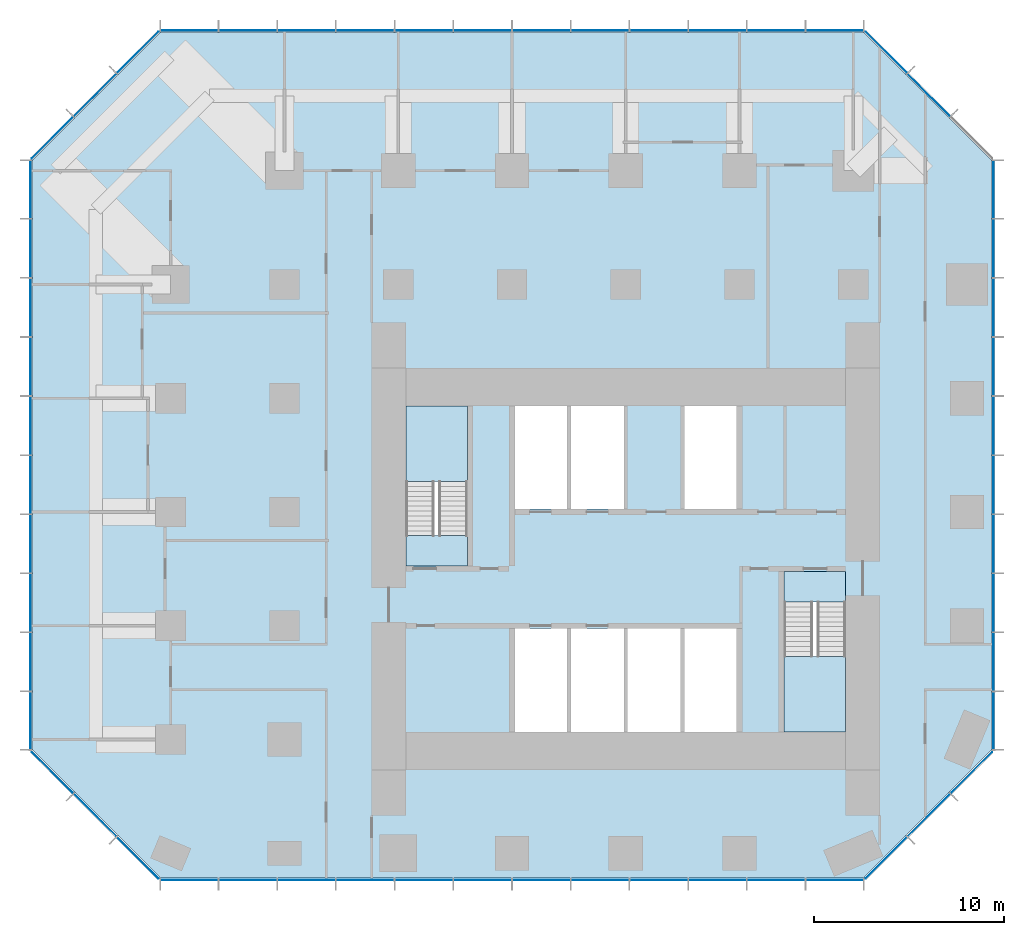
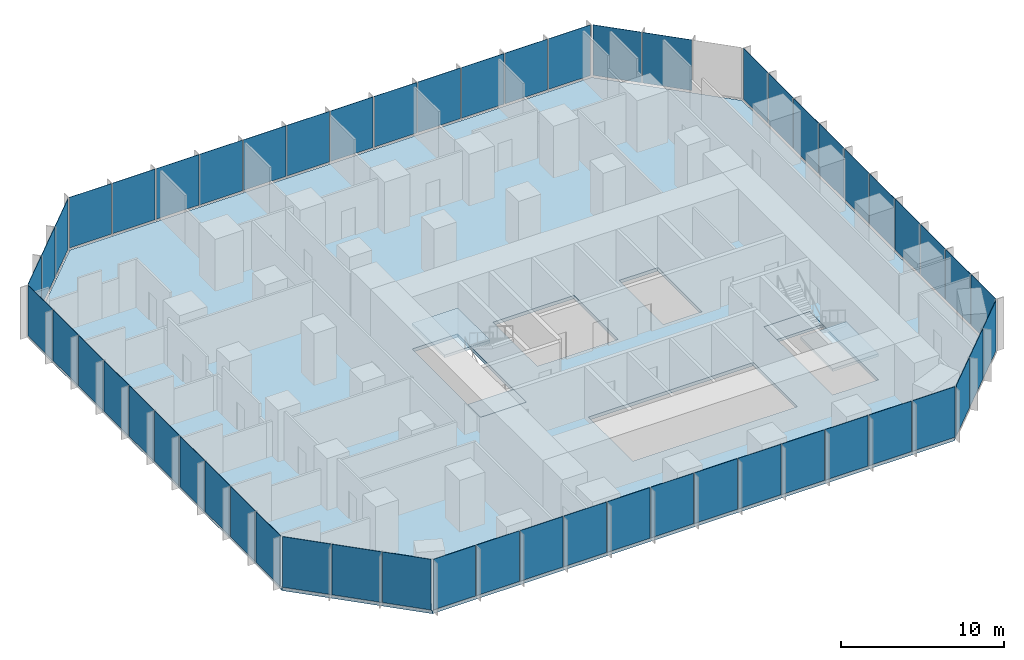
# One storey, part 7 of 11: 55 plates, 5 slabs, 10 elements without a shape of their own.
"""IFC4 building model written with IfcOpenShell, lengths in metres."""

from ifc_helpers import new_model, si_unit, direction, frame, origin, origin_2d, place, context, subcontext, project, spatial, polyline, rectangle, outline, extrude, material, layer, layer_set, type_object, element, aggregate, save


model = new_model("IFC4")

# Units and contexts
model_context = context("Model", 3, precision=1e-05, world=origin(), true_north=direction((0.0, 1.0)))
body_context = subcontext(model_context, "Body", "Model", "MODEL_VIEW")
ifc_project = project(units=[si_unit("LENGTHUNIT", "METRE"), si_unit("AREAUNIT", "SQUARE_METRE"), si_unit("VOLUMEUNIT", "CUBIC_METRE"), si_unit("PLANEANGLEUNIT", "RADIAN"), si_unit("MASSUNIT", "GRAM", prefix="KILO")], contexts=[model_context])

# Site, building, storey
site_placement = place(None, origin())
site = spatial("IfcSite", under=ifc_project, at=site_placement, CompositionType="ELEMENT")
building_placement = place(site_placement, origin())
building = spatial("IfcBuilding", under=site, at=building_placement, Name="Highveld Stack Headquarters", CompositionType="ELEMENT")
storey_placement = place(building_placement, frame((0.0, 0.0, 97.699951171875)))
storey = spatial("IfcBuildingStorey", under=building, at=storey_placement, Name="L23", CompositionType="ELEMENT", Elevation=97.699951171875)

# Curtain wall, plates
ifc_material_1 = material(Name="Aluminium bronze anodised", Category="aluminium")
ifc_layer_1 = layer(ifc_material_1, 0.199951171875)
ifc_layer_set_1 = layer_set([ifc_layer_1], Name="Aluminium bronze anodised")
curtain_wall_type_1 = type_object("IfcCurtainWallType", Name="CW1 TOWER UNITISED CURTAIN WALL", PredefinedType="NOTDEFINED", material=ifc_layer_set_1)
curtain_wall_1_placement = place(storey_placement, origin())
curtain_wall_1 = element("IfcCurtainWall", 1, at=curtain_wall_1_placement, inside=storey, type_object=curtain_wall_type_1, Name="Curtain wall CW1 L23 S", PredefinedType="NOTDEFINED")
ifc_material_2 = material(Name="Glass bronze tinted double glazed unit", Category="glass")
ifc_layer_2 = layer(ifc_material_2, 0.028076171875)
ifc_layer_set_2 = layer_set([ifc_layer_2], Name="Glass bronze tinted double glazed unit")
plate_type_1 = type_object("IfcPlateType", Name="CW1 PANEL BRONZE TINTED DOUBLE GLAZED UNIT", PredefinedType="CURTAIN_PANEL", material=ifc_layer_set_2)
plate_1_placement = place(storey_placement, frame((-17.015380859375, -13.39990234375, 0.10009765625), z_axis=(0.0, 0.0, 1.0), x_axis=(1.0, 0.0, 0.0)))
plate_1 = element("IfcPlate", 2, at=plate_1_placement, type_object=plate_type_1, Name="CW1 panel L23 1.1", PredefinedType="CURTAIN_PANEL", context=body_context, shape_type="SweptSolid", body=[
    extrude(rectangle(XDim=2.9990234375, YDim=0.028076171875, at=origin_2d()), origin(), (0.0, 0.0, 1.0), 3.800048828125),
])
plate_2_placement = place(storey_placement, frame((-13.934814453125, -13.39990234375, 0.10009765625), z_axis=(0.0, 0.0, 1.0), x_axis=(1.0, 0.0, 0.0)))
plate_2 = element("IfcPlate", 3, at=plate_2_placement, type_object=plate_type_1, Name="CW1 panel L23 2.1", PredefinedType="CURTAIN_PANEL", context=body_context, shape_type="SweptSolid", body=[
    extrude(rectangle(XDim=3.031494140625, YDim=0.028076171875, at=origin_2d()), origin(), (0.0, 0.0, 1.0), 3.800048828125),
])
plate_3_placement = place(storey_placement, frame((-10.83837890625, -13.39990234375, 0.10009765625), z_axis=(0.0, 0.0, 1.0), x_axis=(1.0, 0.0, 0.0)))
plate_3 = element("IfcPlate", 4, at=plate_3_placement, type_object=plate_type_1, Name="CW1 panel L23 3.1", PredefinedType="CURTAIN_PANEL", context=body_context, shape_type="SweptSolid", body=[
    extrude(rectangle(XDim=3.031494140625, YDim=0.028076171875, at=origin_2d()), origin(), (0.0, 0.0, 1.0), 3.800048828125),
])
plate_4_placement = place(storey_placement, frame((-7.74169921875, -13.39990234375, 0.10009765625), z_axis=(0.0, 0.0, 1.0), x_axis=(1.0, 0.0, 0.0)))
plate_4 = element("IfcPlate", 5, at=plate_4_placement, type_object=plate_type_1, Name="CW1 panel L23 4.1", PredefinedType="CURTAIN_PANEL", context=body_context, shape_type="SweptSolid", body=[
    extrude(rectangle(XDim=3.031494140625, YDim=0.028076171875, at=origin_2d()), origin(), (0.0, 0.0, 1.0), 3.800048828125),
])
plate_5_placement = place(storey_placement, frame((-4.64501953125, -13.39990234375, 0.10009765625), z_axis=(0.0, 0.0, 1.0), x_axis=(1.0, 0.0, 0.0)))
plate_5 = element("IfcPlate", 6, at=plate_5_placement, type_object=plate_type_1, Name="CW1 panel L23 5.1", PredefinedType="CURTAIN_PANEL", context=body_context, shape_type="SweptSolid", body=[
    extrude(rectangle(XDim=3.031494140625, YDim=0.028076171875, at=origin_2d()), origin(), (0.0, 0.0, 1.0), 3.800048828125),
])
plate_6_placement = place(storey_placement, frame((-1.54833984375, -13.39990234375, 0.10009765625), z_axis=(0.0, 0.0, 1.0), x_axis=(1.0, 0.0, 0.0)))
plate_6 = element("IfcPlate", 7, at=plate_6_placement, type_object=plate_type_1, Name="CW1 panel L23 6.1", PredefinedType="CURTAIN_PANEL", context=body_context, shape_type="SweptSolid", body=[
    extrude(rectangle(XDim=3.031494140625, YDim=0.028076171875, at=origin_2d()), origin(), (0.0, 0.0, 1.0), 3.800048828125),
])
plate_7_placement = place(storey_placement, frame((1.54833984375, -13.39990234375, 0.10009765625), z_axis=(0.0, 0.0, 1.0), x_axis=(1.0, 0.0, 0.0)))
plate_7 = element("IfcPlate", 8, at=plate_7_placement, type_object=plate_type_1, Name="CW1 panel L23 7.1", PredefinedType="CURTAIN_PANEL", context=body_context, shape_type="SweptSolid", body=[
    extrude(rectangle(XDim=3.03173828125, YDim=0.028076171875, at=origin_2d()), origin(), (0.0, 0.0, 1.0), 3.800048828125),
])
plate_8_placement = place(storey_placement, frame((4.64501953125, -13.39990234375, 0.10009765625), z_axis=(0.0, 0.0, 1.0), x_axis=(1.0, 0.0, 0.0)))
plate_8 = element("IfcPlate", 9, at=plate_8_placement, type_object=plate_type_1, Name="CW1 panel L23 8.1", PredefinedType="CURTAIN_PANEL", context=body_context, shape_type="SweptSolid", body=[
    extrude(rectangle(XDim=3.03173828125, YDim=0.028076171875, at=origin_2d()), origin(), (0.0, 0.0, 1.0), 3.800048828125),
])
plate_9_placement = place(storey_placement, frame((7.74169921875, -13.39990234375, 0.10009765625), z_axis=(0.0, 0.0, 1.0), x_axis=(1.0, 0.0, 0.0)))
plate_9 = element("IfcPlate", 10, at=plate_9_placement, type_object=plate_type_1, Name="CW1 panel L23 9.1", PredefinedType="CURTAIN_PANEL", context=body_context, shape_type="SweptSolid", body=[
    extrude(rectangle(XDim=3.03173828125, YDim=0.028076171875, at=origin_2d()), origin(), (0.0, 0.0, 1.0), 3.800048828125),
])
plate_10_placement = place(storey_placement, frame((10.83837890625, -13.39990234375, 0.10009765625), z_axis=(0.0, 0.0, 1.0), x_axis=(1.0, 0.0, 0.0)))
plate_10 = element("IfcPlate", 11, at=plate_10_placement, type_object=plate_type_1, Name="CW1 panel L23 10.1", PredefinedType="CURTAIN_PANEL", context=body_context, shape_type="SweptSolid", body=[
    extrude(rectangle(XDim=3.03173828125, YDim=0.028076171875, at=origin_2d()), origin(), (0.0, 0.0, 1.0), 3.800048828125),
])
plate_11_placement = place(storey_placement, frame((13.934814453125, -13.39990234375, 0.10009765625), z_axis=(0.0, 0.0, 1.0), x_axis=(1.0, 0.0, 0.0)))
plate_11 = element("IfcPlate", 12, at=plate_11_placement, type_object=plate_type_1, Name="CW1 panel L23 11.1", PredefinedType="CURTAIN_PANEL", context=body_context, shape_type="SweptSolid", body=[
    extrude(rectangle(XDim=3.03173828125, YDim=0.028076171875, at=origin_2d()), origin(), (0.0, 0.0, 1.0), 3.800048828125),
])
plate_12_placement = place(storey_placement, frame((17.015380859375, -13.39990234375, 0.10009765625), z_axis=(0.0, 0.0, 1.0), x_axis=(1.0, 0.0, 0.0)))
plate_12 = element("IfcPlate", 13, at=plate_12_placement, type_object=plate_type_1, Name="CW1 panel L23 12.1", PredefinedType="CURTAIN_PANEL", context=body_context, shape_type="SweptSolid", body=[
    extrude(rectangle(XDim=2.999267578125, YDim=0.028076171875, at=origin_2d()), origin(), (0.0, 0.0, 1.0), 3.800048828125),
])
aggregate(curtain_wall_1, [plate_1, plate_2, plate_3, plate_4, plate_5, plate_6, plate_7, plate_8, plate_9, plate_10, plate_11, plate_12])

curtain_wall_2_placement = place(storey_placement, origin())
curtain_wall_2 = element("IfcCurtainWall", 14, at=curtain_wall_2_placement, inside=storey, type_object=curtain_wall_type_1, Name="Curtain wall CW1 L23 E", PredefinedType="NOTDEFINED")
plate_13_placement = place(storey_placement, frame((25.39990234375, -5.005615234375, 0.10009765625), z_axis=(0.0, 0.0, 1.0), x_axis=(0.0, 1.0, 0.0)))
plate_13 = element("IfcPlate", 15, at=plate_13_placement, type_object=plate_type_1, Name="CW1 panel L23 1.1", PredefinedType="CURTAIN_PANEL", context=body_context, shape_type="SweptSolid", body=[
    extrude(rectangle(XDim=3.0185546875, YDim=0.028076171875, at=origin_2d()), origin(), (0.0, 0.0, 1.0), 3.800048828125),
])
plate_14_placement = place(storey_placement, frame((25.39990234375, -1.906005859375, 0.10009765625), z_axis=(0.0, 0.0, 1.0), x_axis=(0.0, 1.0, 0.0)))
plate_14 = element("IfcPlate", 16, at=plate_14_placement, type_object=plate_type_1, Name="CW1 panel L23 2.1", PredefinedType="CURTAIN_PANEL", context=body_context, shape_type="SweptSolid", body=[
    extrude(rectangle(XDim=3.051025390625, YDim=0.028076171875, at=origin_2d()), origin(), (0.0, 0.0, 1.0), 3.800048828125),
])
plate_15_placement = place(storey_placement, frame((25.39990234375, 1.2099609375, 0.10009765625), z_axis=(0.0, 0.0, 1.0), x_axis=(0.0, 1.0, 0.0)))
plate_15 = element("IfcPlate", 17, at=plate_15_placement, type_object=plate_type_1, Name="CW1 panel L23 3.1", PredefinedType="CURTAIN_PANEL", context=body_context, shape_type="SweptSolid", body=[
    extrude(rectangle(XDim=3.051025390625, YDim=0.028076171875, at=origin_2d()), origin(), (0.0, 0.0, 1.0), 3.800048828125),
])
plate_16_placement = place(storey_placement, frame((25.39990234375, 4.325927734375, 0.10009765625), z_axis=(0.0, 0.0, 1.0), x_axis=(0.0, 1.0, 0.0)))
plate_16 = element("IfcPlate", 18, at=plate_16_placement, type_object=plate_type_1, Name="CW1 panel L23 4.1", PredefinedType="CURTAIN_PANEL", context=body_context, shape_type="SweptSolid", body=[
    extrude(rectangle(XDim=3.051025390625, YDim=0.028076171875, at=origin_2d()), origin(), (0.0, 0.0, 1.0), 3.800048828125),
])
plate_17_placement = place(storey_placement, frame((25.39990234375, 7.44189453125, 0.10009765625), z_axis=(0.0, 0.0, 1.0), x_axis=(0.0, 1.0, 0.0)))
plate_17 = element("IfcPlate", 19, at=plate_17_placement, type_object=plate_type_1, Name="CW1 panel L23 5.1", PredefinedType="CURTAIN_PANEL", context=body_context, shape_type="SweptSolid", body=[
    extrude(rectangle(XDim=3.051025390625, YDim=0.028076171875, at=origin_2d()), origin(), (0.0, 0.0, 1.0), 3.800048828125),
])
plate_18_placement = place(storey_placement, frame((25.39990234375, 10.55810546875, 0.10009765625), z_axis=(0.0, 0.0, 1.0), x_axis=(0.0, 1.0, 0.0)))
plate_18 = element("IfcPlate", 20, at=plate_18_placement, type_object=plate_type_1, Name="CW1 panel L23 6.1", PredefinedType="CURTAIN_PANEL", context=body_context, shape_type="SweptSolid", body=[
    extrude(rectangle(XDim=3.051025390625, YDim=0.028076171875, at=origin_2d()), origin(), (0.0, 0.0, 1.0), 3.800048828125),
])
plate_19_placement = place(storey_placement, frame((25.39990234375, 13.674072265625, 0.10009765625), z_axis=(0.0, 0.0, 1.0), x_axis=(0.0, 1.0, 0.0)))
plate_19 = element("IfcPlate", 21, at=plate_19_placement, type_object=plate_type_1, Name="CW1 panel L23 7.1", PredefinedType="CURTAIN_PANEL", context=body_context, shape_type="SweptSolid", body=[
    extrude(rectangle(XDim=3.051025390625, YDim=0.028076171875, at=origin_2d()), origin(), (0.0, 0.0, 1.0), 3.800048828125),
])
plate_20_placement = place(storey_placement, frame((25.39990234375, 16.789794921875, 0.10009765625), z_axis=(0.0, 0.0, 1.0), x_axis=(0.0, 1.0, 0.0)))
plate_20 = element("IfcPlate", 22, at=plate_20_placement, type_object=plate_type_1, Name="CW1 panel L23 8.1", PredefinedType="CURTAIN_PANEL", context=body_context, shape_type="SweptSolid", body=[
    extrude(rectangle(XDim=3.051025390625, YDim=0.028076171875, at=origin_2d()), origin(), (0.0, 0.0, 1.0), 3.800048828125),
])
plate_21_placement = place(storey_placement, frame((25.39990234375, 19.906005859375, 0.10009765625), z_axis=(0.0, 0.0, 1.0), x_axis=(0.0, 1.0, 0.0)))
plate_21 = element("IfcPlate", 23, at=plate_21_placement, type_object=plate_type_1, Name="CW1 panel L23 9.1", PredefinedType="CURTAIN_PANEL", context=body_context, shape_type="SweptSolid", body=[
    extrude(rectangle(XDim=3.051025390625, YDim=0.028076171875, at=origin_2d()), origin(), (0.0, 0.0, 1.0), 3.800048828125),
])
plate_22_placement = place(storey_placement, frame((25.39990234375, 23.005615234375, 0.10009765625), z_axis=(0.0, 0.0, 1.0), x_axis=(0.0, 1.0, 0.0)))
plate_22 = element("IfcPlate", 24, at=plate_22_placement, type_object=plate_type_1, Name="CW1 panel L23 10.1", PredefinedType="CURTAIN_PANEL", context=body_context, shape_type="SweptSolid", body=[
    extrude(rectangle(XDim=3.0185546875, YDim=0.028076171875, at=origin_2d()), origin(), (0.0, 0.0, 1.0), 3.800048828125),
])
aggregate(curtain_wall_2, [plate_13, plate_14, plate_15, plate_16, plate_17, plate_18, plate_19, plate_20, plate_21, plate_22])

curtain_wall_3_placement = place(storey_placement, origin())
curtain_wall_3 = element("IfcCurtainWall", 25, at=curtain_wall_3_placement, inside=storey, type_object=curtain_wall_type_1, Name="Curtain wall CW1 L23 N", PredefinedType="NOTDEFINED")
plate_23_placement = place(storey_placement, frame((17.015380859375, 31.39990234375, 0.10009765625), z_axis=(0.0, 0.0, 1.0), x_axis=(-1.0, 0.0, 0.0)))
plate_23 = element("IfcPlate", 26, at=plate_23_placement, type_object=plate_type_1, Name="CW1 panel L23 1.1", PredefinedType="CURTAIN_PANEL", context=body_context, shape_type="SweptSolid", body=[
    extrude(rectangle(XDim=2.9990234375, YDim=0.028076171875, at=origin_2d()), origin(), (0.0, 0.0, 1.0), 3.800048828125),
])
plate_24_placement = place(storey_placement, frame((13.934814453125, 31.39990234375, 0.10009765625), z_axis=(0.0, 0.0, 1.0), x_axis=(-1.0, 0.0, 0.0)))
plate_24 = element("IfcPlate", 27, at=plate_24_placement, type_object=plate_type_1, Name="CW1 panel L23 2.1", PredefinedType="CURTAIN_PANEL", context=body_context, shape_type="SweptSolid", body=[
    extrude(rectangle(XDim=3.031494140625, YDim=0.028076171875, at=origin_2d()), origin(), (0.0, 0.0, 1.0), 3.800048828125),
])
plate_25_placement = place(storey_placement, frame((10.83837890625, 31.39990234375, 0.10009765625), z_axis=(0.0, 0.0, 1.0), x_axis=(-1.0, 0.0, 0.0)))
plate_25 = element("IfcPlate", 28, at=plate_25_placement, type_object=plate_type_1, Name="CW1 panel L23 3.1", PredefinedType="CURTAIN_PANEL", context=body_context, shape_type="SweptSolid", body=[
    extrude(rectangle(XDim=3.031494140625, YDim=0.028076171875, at=origin_2d()), origin(), (0.0, 0.0, 1.0), 3.800048828125),
])
plate_26_placement = place(storey_placement, frame((7.74169921875, 31.39990234375, 0.10009765625), z_axis=(0.0, 0.0, 1.0), x_axis=(-1.0, 0.0, 0.0)))
plate_26 = element("IfcPlate", 29, at=plate_26_placement, type_object=plate_type_1, Name="CW1 panel L23 4.1", PredefinedType="CURTAIN_PANEL", context=body_context, shape_type="SweptSolid", body=[
    extrude(rectangle(XDim=3.031494140625, YDim=0.028076171875, at=origin_2d()), origin(), (0.0, 0.0, 1.0), 3.800048828125),
])
plate_27_placement = place(storey_placement, frame((4.64501953125, 31.39990234375, 0.10009765625), z_axis=(0.0, 0.0, 1.0), x_axis=(-1.0, 0.0, 0.0)))
plate_27 = element("IfcPlate", 30, at=plate_27_placement, type_object=plate_type_1, Name="CW1 panel L23 5.1", PredefinedType="CURTAIN_PANEL", context=body_context, shape_type="SweptSolid", body=[
    extrude(rectangle(XDim=3.031494140625, YDim=0.028076171875, at=origin_2d()), origin(), (0.0, 0.0, 1.0), 3.800048828125),
])
plate_28_placement = place(storey_placement, frame((1.54833984375, 31.39990234375, 0.10009765625), z_axis=(0.0, 0.0, 1.0), x_axis=(-1.0, 0.0, 0.0)))
plate_28 = element("IfcPlate", 31, at=plate_28_placement, type_object=plate_type_1, Name="CW1 panel L23 6.1", PredefinedType="CURTAIN_PANEL", context=body_context, shape_type="SweptSolid", body=[
    extrude(rectangle(XDim=3.031494140625, YDim=0.028076171875, at=origin_2d()), origin(), (0.0, 0.0, 1.0), 3.800048828125),
])
plate_29_placement = place(storey_placement, frame((-1.54833984375, 31.39990234375, 0.10009765625), z_axis=(0.0, 0.0, 1.0), x_axis=(-1.0, 0.0, 0.0)))
plate_29 = element("IfcPlate", 32, at=plate_29_placement, type_object=plate_type_1, Name="CW1 panel L23 7.1", PredefinedType="CURTAIN_PANEL", context=body_context, shape_type="SweptSolid", body=[
    extrude(rectangle(XDim=3.03173828125, YDim=0.028076171875, at=origin_2d()), origin(), (0.0, 0.0, 1.0), 3.800048828125),
])
plate_30_placement = place(storey_placement, frame((-4.64501953125, 31.39990234375, 0.10009765625), z_axis=(0.0, 0.0, 1.0), x_axis=(-1.0, 0.0, 0.0)))
plate_30 = element("IfcPlate", 33, at=plate_30_placement, type_object=plate_type_1, Name="CW1 panel L23 8.1", PredefinedType="CURTAIN_PANEL", context=body_context, shape_type="SweptSolid", body=[
    extrude(rectangle(XDim=3.03173828125, YDim=0.028076171875, at=origin_2d()), origin(), (0.0, 0.0, 1.0), 3.800048828125),
])
plate_31_placement = place(storey_placement, frame((-7.74169921875, 31.39990234375, 0.10009765625), z_axis=(0.0, 0.0, 1.0), x_axis=(-1.0, 0.0, 0.0)))
plate_31 = element("IfcPlate", 34, at=plate_31_placement, type_object=plate_type_1, Name="CW1 panel L23 9.1", PredefinedType="CURTAIN_PANEL", context=body_context, shape_type="SweptSolid", body=[
    extrude(rectangle(XDim=3.03173828125, YDim=0.028076171875, at=origin_2d()), origin(), (0.0, 0.0, 1.0), 3.800048828125),
])
plate_32_placement = place(storey_placement, frame((-10.83837890625, 31.39990234375, 0.10009765625), z_axis=(0.0, 0.0, 1.0), x_axis=(-1.0, 0.0, 0.0)))
plate_32 = element("IfcPlate", 35, at=plate_32_placement, type_object=plate_type_1, Name="CW1 panel L23 10.1", PredefinedType="CURTAIN_PANEL", context=body_context, shape_type="SweptSolid", body=[
    extrude(rectangle(XDim=3.03173828125, YDim=0.028076171875, at=origin_2d()), origin(), (0.0, 0.0, 1.0), 3.800048828125),
])
plate_33_placement = place(storey_placement, frame((-13.934814453125, 31.39990234375, 0.10009765625), z_axis=(0.0, 0.0, 1.0), x_axis=(-1.0, 0.0, 0.0)))
plate_33 = element("IfcPlate", 36, at=plate_33_placement, type_object=plate_type_1, Name="CW1 panel L23 11.1", PredefinedType="CURTAIN_PANEL", context=body_context, shape_type="SweptSolid", body=[
    extrude(rectangle(XDim=3.03173828125, YDim=0.028076171875, at=origin_2d()), origin(), (0.0, 0.0, 1.0), 3.800048828125),
])
plate_34_placement = place(storey_placement, frame((-17.015380859375, 31.39990234375, 0.10009765625), z_axis=(0.0, 0.0, 1.0), x_axis=(-1.0, 0.0, 0.0)))
plate_34 = element("IfcPlate", 37, at=plate_34_placement, type_object=plate_type_1, Name="CW1 panel L23 12.1", PredefinedType="CURTAIN_PANEL", context=body_context, shape_type="SweptSolid", body=[
    extrude(rectangle(XDim=2.999267578125, YDim=0.028076171875, at=origin_2d()), origin(), (0.0, 0.0, 1.0), 3.800048828125),
])
aggregate(curtain_wall_3, [plate_23, plate_24, plate_25, plate_26, plate_27, plate_28, plate_29, plate_30, plate_31, plate_32, plate_33, plate_34])

curtain_wall_4_placement = place(storey_placement, origin())
curtain_wall_4 = element("IfcCurtainWall", 38, at=curtain_wall_4_placement, inside=storey, type_object=curtain_wall_type_1, Name="Curtain wall CW1 L23 W", PredefinedType="NOTDEFINED")
plate_35_placement = place(storey_placement, frame((-25.39990234375, 23.005615234375, 0.10009765625), z_axis=(0.0, 0.0, 1.0), x_axis=(0.0, -1.0, 0.0)))
plate_35 = element("IfcPlate", 39, at=plate_35_placement, type_object=plate_type_1, Name="CW1 panel L23 1.1", PredefinedType="CURTAIN_PANEL", context=body_context, shape_type="SweptSolid", body=[
    extrude(rectangle(XDim=3.0185546875, YDim=0.028076171875, at=origin_2d()), origin(), (0.0, 0.0, 1.0), 3.800048828125),
])
plate_36_placement = place(storey_placement, frame((-25.39990234375, 19.906005859375, 0.10009765625), z_axis=(0.0, 0.0, 1.0), x_axis=(0.0, -1.0, 0.0)))
plate_36 = element("IfcPlate", 40, at=plate_36_placement, type_object=plate_type_1, Name="CW1 panel L23 2.1", PredefinedType="CURTAIN_PANEL", context=body_context, shape_type="SweptSolid", body=[
    extrude(rectangle(XDim=3.051025390625, YDim=0.028076171875, at=origin_2d()), origin(), (0.0, 0.0, 1.0), 3.800048828125),
])
plate_37_placement = place(storey_placement, frame((-25.39990234375, 16.7900390625, 0.10009765625), z_axis=(0.0, 0.0, 1.0), x_axis=(0.0, -1.0, 0.0)))
plate_37 = element("IfcPlate", 41, at=plate_37_placement, type_object=plate_type_1, Name="CW1 panel L23 3.1", PredefinedType="CURTAIN_PANEL", context=body_context, shape_type="SweptSolid", body=[
    extrude(rectangle(XDim=3.051025390625, YDim=0.028076171875, at=origin_2d()), origin(), (0.0, 0.0, 1.0), 3.800048828125),
])
plate_38_placement = place(storey_placement, frame((-25.39990234375, 13.674072265625, 0.10009765625), z_axis=(0.0, 0.0, 1.0), x_axis=(0.0, -1.0, 0.0)))
plate_38 = element("IfcPlate", 42, at=plate_38_placement, type_object=plate_type_1, Name="CW1 panel L23 4.1", PredefinedType="CURTAIN_PANEL", context=body_context, shape_type="SweptSolid", body=[
    extrude(rectangle(XDim=3.051025390625, YDim=0.028076171875, at=origin_2d()), origin(), (0.0, 0.0, 1.0), 3.800048828125),
])
plate_39_placement = place(storey_placement, frame((-25.39990234375, 10.55810546875, 0.10009765625), z_axis=(0.0, 0.0, 1.0), x_axis=(0.0, -1.0, 0.0)))
plate_39 = element("IfcPlate", 43, at=plate_39_placement, type_object=plate_type_1, Name="CW1 panel L23 5.1", PredefinedType="CURTAIN_PANEL", context=body_context, shape_type="SweptSolid", body=[
    extrude(rectangle(XDim=3.051025390625, YDim=0.028076171875, at=origin_2d()), origin(), (0.0, 0.0, 1.0), 3.800048828125),
])
plate_40_placement = place(storey_placement, frame((-25.39990234375, 7.44189453125, 0.10009765625), z_axis=(0.0, 0.0, 1.0), x_axis=(0.0, -1.0, 0.0)))
plate_40 = element("IfcPlate", 44, at=plate_40_placement, type_object=plate_type_1, Name="CW1 panel L23 6.1", PredefinedType="CURTAIN_PANEL", context=body_context, shape_type="SweptSolid", body=[
    extrude(rectangle(XDim=3.051025390625, YDim=0.028076171875, at=origin_2d()), origin(), (0.0, 0.0, 1.0), 3.800048828125),
])
plate_41_placement = place(storey_placement, frame((-25.39990234375, 4.325927734375, 0.10009765625), z_axis=(0.0, 0.0, 1.0), x_axis=(0.0, -1.0, 0.0)))
plate_41 = element("IfcPlate", 45, at=plate_41_placement, type_object=plate_type_1, Name="CW1 panel L23 7.1", PredefinedType="CURTAIN_PANEL", context=body_context, shape_type="SweptSolid", body=[
    extrude(rectangle(XDim=3.051025390625, YDim=0.028076171875, at=origin_2d()), origin(), (0.0, 0.0, 1.0), 3.800048828125),
])
plate_42_placement = place(storey_placement, frame((-25.39990234375, 1.210205078125, 0.10009765625), z_axis=(0.0, 0.0, 1.0), x_axis=(0.0, -1.0, 0.0)))
plate_42 = element("IfcPlate", 46, at=plate_42_placement, type_object=plate_type_1, Name="CW1 panel L23 8.1", PredefinedType="CURTAIN_PANEL", context=body_context, shape_type="SweptSolid", body=[
    extrude(rectangle(XDim=3.051025390625, YDim=0.028076171875, at=origin_2d()), origin(), (0.0, 0.0, 1.0), 3.800048828125),
])
plate_43_placement = place(storey_placement, frame((-25.39990234375, -1.906005859375, 0.10009765625), z_axis=(0.0, 0.0, 1.0), x_axis=(0.0, -1.0, 0.0)))
plate_43 = element("IfcPlate", 47, at=plate_43_placement, type_object=plate_type_1, Name="CW1 panel L23 9.1", PredefinedType="CURTAIN_PANEL", context=body_context, shape_type="SweptSolid", body=[
    extrude(rectangle(XDim=3.051025390625, YDim=0.028076171875, at=origin_2d()), origin(), (0.0, 0.0, 1.0), 3.800048828125),
])
plate_44_placement = place(storey_placement, frame((-25.39990234375, -5.005615234375, 0.10009765625), z_axis=(0.0, 0.0, 1.0), x_axis=(0.0, -1.0, 0.0)))
plate_44 = element("IfcPlate", 48, at=plate_44_placement, type_object=plate_type_1, Name="CW1 panel L23 10.1", PredefinedType="CURTAIN_PANEL", context=body_context, shape_type="SweptSolid", body=[
    extrude(rectangle(XDim=3.0185546875, YDim=0.028076171875, at=origin_2d()), origin(), (0.0, 0.0, 1.0), 3.800048828125),
])
aggregate(curtain_wall_4, [plate_35, plate_36, plate_37, plate_38, plate_39, plate_40, plate_41, plate_42, plate_43, plate_44])

ifc_material_3 = material(Name="Aluminium bronze anodised", Category="aluminium")
ifc_layer_3 = layer(ifc_material_3, 0.199951171875)
ifc_layer_set_3 = layer_set([ifc_layer_3], Name="Aluminium bronze anodised")
curtain_wall_type_2 = type_object("IfcCurtainWallType", Name="CW2 TOWER CHAMFER UNITISED CURTAIN WALL", PredefinedType="NOTDEFINED", material=ifc_layer_set_3)
curtain_wall_5_placement = place(storey_placement, origin())
curtain_wall_5 = element("IfcCurtainWall", 49, at=curtain_wall_5_placement, inside=storey, type_object=curtain_wall_type_2, Name="Curtain wall CW2 L23 SE", PredefinedType="NOTDEFINED")
ifc_material_4 = material(Name="Glass bronze tinted double glazed unit", Category="glass")
ifc_layer_4 = layer(ifc_material_4, 0.028076171875)
ifc_layer_set_4 = layer_set([ifc_layer_4], Name="Glass bronze tinted double glazed unit")
plate_type_2 = type_object("IfcPlateType", Name="CW2 PANEL BRONZE TINTED DOUBLE GLAZED UNIT", PredefinedType="CURTAIN_PANEL", material=ifc_layer_set_4)
plate_45_placement = place(storey_placement, frame((19.740478515625, -12.239501953125, 0.10009765625), z_axis=(0.0, 0.0, 1.0), x_axis=(0.707106781187, 0.707106781187, 0.0)))
plate_45 = element("IfcPlate", 50, at=plate_45_placement, type_object=plate_type_2, Name="CW2 panel L23 1.1", PredefinedType="CURTAIN_PANEL", context=body_context, shape_type="SweptSolid", body=[
    extrude(rectangle(XDim=3.08251953125, YDim=0.028076171875, at=origin_2d()), origin(), (0.0, 0.0, 1.0), 3.800048828125),
])
plate_46_placement = place(storey_placement, frame((21.989990234375, -9.989990234375, 0.10009765625), z_axis=(0.0, 0.0, 1.0), x_axis=(0.707106781187, 0.707106781187, 0.0)))
plate_46 = element("IfcPlate", 51, at=plate_46_placement, type_object=plate_type_2, Name="CW2 panel L23 2.1", PredefinedType="CURTAIN_PANEL", context=body_context, shape_type="SweptSolid", body=[
    extrude(rectangle(XDim=3.14990234375, YDim=0.028076171875, at=origin_2d()), origin(), (0.0, 0.0, 1.0), 3.800048828125),
])
plate_47_placement = place(storey_placement, frame((24.239501953125, -7.740478515625, 0.10009765625), z_axis=(0.0, 0.0, 1.0), x_axis=(0.707106781187, 0.707106781187, 0.0)))
plate_47 = element("IfcPlate", 52, at=plate_47_placement, type_object=plate_type_2, Name="CW2 panel L23 3.1", PredefinedType="CURTAIN_PANEL", context=body_context, shape_type="SweptSolid", body=[
    extrude(rectangle(XDim=3.08251953125, YDim=0.028076171875, at=origin_2d()), origin(), (0.0, 0.0, 1.0), 3.800048828125),
])
aggregate(curtain_wall_5, [plate_45, plate_46, plate_47])

curtain_wall_6_placement = place(storey_placement, origin())
curtain_wall_6 = element("IfcCurtainWall", 53, at=curtain_wall_6_placement, inside=storey, type_object=curtain_wall_type_2, Name="Curtain wall CW2 L23 NE", PredefinedType="NOTDEFINED")
plate_48_placement = place(storey_placement, frame((21.989990234375, 27.989990234375, 0.10009765625), z_axis=(0.0, 0.0, 1.0), x_axis=(-0.707106781187, 0.707106781187, 0.0)))
plate_48 = element("IfcPlate", 54, at=plate_48_placement, type_object=plate_type_2, Name="CW2 panel L23 2.1", PredefinedType="CURTAIN_PANEL", context=body_context, shape_type="SweptSolid", body=[
    extrude(rectangle(XDim=3.14990234375, YDim=0.028076171875, at=origin_2d()), origin(), (0.0, 0.0, 1.0), 3.800048828125),
])
plate_49_placement = place(storey_placement, frame((19.740478515625, 30.239501953125, 0.10009765625), z_axis=(0.0, 0.0, 1.0), x_axis=(-0.707106781187, 0.707106781187, 0.0)))
plate_49 = element("IfcPlate", 55, at=plate_49_placement, type_object=plate_type_2, Name="CW2 panel L23 3.1", PredefinedType="CURTAIN_PANEL", context=body_context, shape_type="SweptSolid", body=[
    extrude(rectangle(XDim=3.08251953125, YDim=0.028076171875, at=origin_2d()), origin(), (0.0, 0.0, 1.0), 3.800048828125),
])
aggregate(curtain_wall_6, [plate_48, plate_49])

curtain_wall_7_placement = place(storey_placement, origin())
curtain_wall_7 = element("IfcCurtainWall", 56, at=curtain_wall_7_placement, inside=storey, type_object=curtain_wall_type_2, Name="Curtain wall CW2 L23 NW", PredefinedType="NOTDEFINED")
plate_50_placement = place(storey_placement, frame((-19.740478515625, 30.239501953125, 0.10009765625), z_axis=(0.0, 0.0, 1.0), x_axis=(-0.707106781187, -0.707106781187, 0.0)))
plate_50 = element("IfcPlate", 57, at=plate_50_placement, type_object=plate_type_2, Name="CW2 panel L23 1.1", PredefinedType="CURTAIN_PANEL", context=body_context, shape_type="SweptSolid", body=[
    extrude(rectangle(XDim=3.08251953125, YDim=0.028076171875, at=origin_2d()), origin(), (0.0, 0.0, 1.0), 3.800048828125),
])
plate_51_placement = place(storey_placement, frame((-21.989990234375, 27.989990234375, 0.10009765625), z_axis=(0.0, 0.0, 1.0), x_axis=(-0.707106781187, -0.707106781187, 0.0)))
plate_51 = element("IfcPlate", 58, at=plate_51_placement, type_object=plate_type_2, Name="CW2 panel L23 2.1", PredefinedType="CURTAIN_PANEL", context=body_context, shape_type="SweptSolid", body=[
    extrude(rectangle(XDim=3.14990234375, YDim=0.028076171875, at=origin_2d()), origin(), (0.0, 0.0, 1.0), 3.800048828125),
])
plate_52_placement = place(storey_placement, frame((-24.239501953125, 25.740478515625, 0.10009765625), z_axis=(0.0, 0.0, 1.0), x_axis=(-0.707106781187, -0.707106781187, 0.0)))
plate_52 = element("IfcPlate", 59, at=plate_52_placement, type_object=plate_type_2, Name="CW2 panel L23 3.1", PredefinedType="CURTAIN_PANEL", context=body_context, shape_type="SweptSolid", body=[
    extrude(rectangle(XDim=3.08251953125, YDim=0.028076171875, at=origin_2d()), origin(), (0.0, 0.0, 1.0), 3.800048828125),
])
aggregate(curtain_wall_7, [plate_50, plate_51, plate_52])

curtain_wall_8_placement = place(storey_placement, origin())
curtain_wall_8 = element("IfcCurtainWall", 60, at=curtain_wall_8_placement, inside=storey, type_object=curtain_wall_type_2, Name="Curtain wall CW2 L23 SW", PredefinedType="NOTDEFINED")
plate_53_placement = place(storey_placement, frame((-24.239501953125, -7.740478515625, 0.10009765625), z_axis=(0.0, 0.0, 1.0), x_axis=(0.707106781187, -0.707106781187, 0.0)))
plate_53 = element("IfcPlate", 61, at=plate_53_placement, type_object=plate_type_2, Name="CW2 panel L23 1.1", PredefinedType="CURTAIN_PANEL", context=body_context, shape_type="SweptSolid", body=[
    extrude(rectangle(XDim=3.08251953125, YDim=0.028076171875, at=origin_2d()), origin(), (0.0, 0.0, 1.0), 3.800048828125),
])
plate_54_placement = place(storey_placement, frame((-21.989990234375, -9.989990234375, 0.10009765625), z_axis=(0.0, 0.0, 1.0), x_axis=(0.707106781187, -0.707106781187, 0.0)))
plate_54 = element("IfcPlate", 62, at=plate_54_placement, type_object=plate_type_2, Name="CW2 panel L23 2.1", PredefinedType="CURTAIN_PANEL", context=body_context, shape_type="SweptSolid", body=[
    extrude(rectangle(XDim=3.14990234375, YDim=0.028076171875, at=origin_2d()), origin(), (0.0, 0.0, 1.0), 3.800048828125),
])
plate_55_placement = place(storey_placement, frame((-19.740478515625, -12.239501953125, 0.10009765625), z_axis=(0.0, 0.0, 1.0), x_axis=(0.707106781187, -0.707106781187, 0.0)))
plate_55 = element("IfcPlate", 63, at=plate_55_placement, type_object=plate_type_2, Name="CW2 panel L23 3.1", PredefinedType="CURTAIN_PANEL", context=body_context, shape_type="SweptSolid", body=[
    extrude(rectangle(XDim=3.08251953125, YDim=0.028076171875, at=origin_2d()), origin(), (0.0, 0.0, 1.0), 3.800048828125),
])
aggregate(curtain_wall_8, [plate_53, plate_54, plate_55])

# Slab
ifc_material_5 = material(Name="Concrete C60/75", Category="concrete")
ifc_layer_5 = layer(ifc_material_5, 0.25)
ifc_layer_set_5 = layer_set([ifc_layer_5], Name="Concrete C60/75")
slab_type_1 = type_object("IfcSlabType", Name="PT FLAT SLAB 250", PredefinedType="FLOOR", material=ifc_layer_set_5)
slab_1_placement = place(storey_placement, frame((0.0, 0.0, -0.25)))
element("IfcSlab", 64, at=slab_1_placement, inside=storey, type_object=slab_type_1, Name="Floor slab L23", PredefinedType="FLOOR", context=body_context, shape_type="SweptSolid", body=[
    extrude(outline(polyline([(-18.53857421875, -13.300048828125), (18.53857421875, -13.300048828125), (25.300048828125, -6.53857421875), (25.300048828125, 24.53857421875), (18.53857421875, 31.300048828125), (-18.53857421875, 31.300048828125), (-25.300048828125, 24.53857421875), (-25.300048828125, -6.53857421875), (-18.53857421875, -13.300048828125)]), holes=[polyline([(0.14990234375, 6.14990234375), (5.89990234375, 6.14990234375), (5.89990234375, 11.60009765625), (0.14990234375, 11.60009765625), (0.14990234375, 6.14990234375)]), polyline([(9.10009765625, 6.14990234375), (11.85009765625, 6.14990234375), (11.85009765625, 11.60009765625), (9.10009765625, 11.60009765625), (9.10009765625, 6.14990234375)]), polyline([(0.14990234375, -5.60009765625), (11.85009765625, -5.60009765625), (11.85009765625, -0.14990234375), (0.14990234375, -0.14990234375), (0.14990234375, -5.60009765625)]), polyline([(-5.60009765625, 3.14990234375), (-2.35009765625, 3.14990234375), (-2.35009765625, 11.60009765625), (-5.60009765625, 11.60009765625), (-5.60009765625, 3.14990234375)]), polyline([(14.35009765625, -5.60009765625), (17.60009765625, -5.60009765625), (17.60009765625, 2.85009765625), (14.35009765625, 2.85009765625), (14.35009765625, -5.60009765625)])]), origin(), (0.0, 0.0, 1.0), 0.25),
])

# Stair, slabs
ifc_material_6 = material(Name="Concrete C40/50, precast", Category="concrete")
stair_type_1 = type_object("IfcStairType", Name="STAIR S1 HALF TURN 1500", PredefinedType="HALF_TURN_STAIR", material=ifc_material_6)
stair_1_placement = place(storey_placement, origin())
stair_1 = element("IfcStair", 65, at=stair_1_placement, inside=storey, type_object=stair_type_1, Name="Stair S1 L23", PredefinedType="HALF_TURN_STAIR")
ifc_material_7 = material(Name="Concrete C40/50, precast", Category="concrete")
ifc_layer_6 = layer(ifc_material_7, 0.199951171875)
ifc_layer_set_6 = layer_set([ifc_layer_6], Name="Concrete C40/50, precast")
slab_type_2 = type_object("IfcSlabType", Name="STAIR LANDING 200", PredefinedType="LANDING", material=ifc_layer_set_6)
slab_2_placement = place(storey_placement, frame((0.0, 0.0, 1.75)))
slab_2 = element("IfcSlab", 66, at=slab_2_placement, type_object=slab_type_2, Name="S1 landing 1", PredefinedType="LANDING", context=body_context, shape_type="SweptSolid", body=[
    extrude(outline(polyline([(-5.60009765625, 7.610107421875), (-2.35009765625, 7.610107421875), (-2.35009765625, 11.60009765625), (-5.60009765625, 11.60009765625), (-5.60009765625, 7.610107421875)])), origin(), (0.0, 0.0, 1.0), 0.199951171875),
])
slab_3_placement = place(storey_placement, frame((0.0, 0.0, -0.199951171875)))
slab_3 = element("IfcSlab", 67, at=slab_3_placement, type_object=slab_type_2, Name="S1 landing 2", PredefinedType="LANDING", context=body_context, shape_type="SweptSolid", body=[
    extrude(outline(polyline([(-5.60009765625, 3.14990234375), (-2.35009765625, 3.14990234375), (-2.35009765625, 4.75), (-5.60009765625, 4.75), (-5.60009765625, 3.14990234375)])), origin(), (0.0, 0.0, 1.0), 0.199951171875),
])
aggregate(stair_1, [slab_2, slab_3])

ifc_material_8 = material(Name="Concrete C40/50, precast", Category="concrete")
stair_type_2 = type_object("IfcStairType", Name="STAIR S2 HALF TURN 1500", PredefinedType="HALF_TURN_STAIR", material=ifc_material_8)
stair_2_placement = place(storey_placement, origin())
stair_2 = element("IfcStair", 68, at=stair_2_placement, inside=storey, type_object=stair_type_2, Name="Stair S2 L23", PredefinedType="HALF_TURN_STAIR")
slab_4_placement = place(storey_placement, frame((0.0, 0.0, 1.75)))
slab_4 = element("IfcSlab", 69, at=slab_4_placement, type_object=slab_type_2, Name="S2 landing 1", PredefinedType="LANDING", context=body_context, shape_type="SweptSolid", body=[
    extrude(outline(polyline([(14.35009765625, -5.60009765625), (17.60009765625, -5.60009765625), (17.60009765625, -1.610107421875), (14.35009765625, -1.610107421875), (14.35009765625, -5.60009765625)])), origin(), (0.0, 0.0, 1.0), 0.199951171875),
])
slab_5_placement = place(storey_placement, frame((0.0, 0.0, -0.199951171875)))
slab_5 = element("IfcSlab", 70, at=slab_5_placement, type_object=slab_type_2, Name="S2 landing 2", PredefinedType="LANDING", context=body_context, shape_type="SweptSolid", body=[
    extrude(outline(polyline([(14.35009765625, 1.25), (17.60009765625, 1.25), (17.60009765625, 2.85009765625), (14.35009765625, 2.85009765625), (14.35009765625, 1.25)])), origin(), (0.0, 0.0, 1.0), 0.199951171875),
])
aggregate(stair_2, [slab_4, slab_5])

save(model, "model.ifc")
